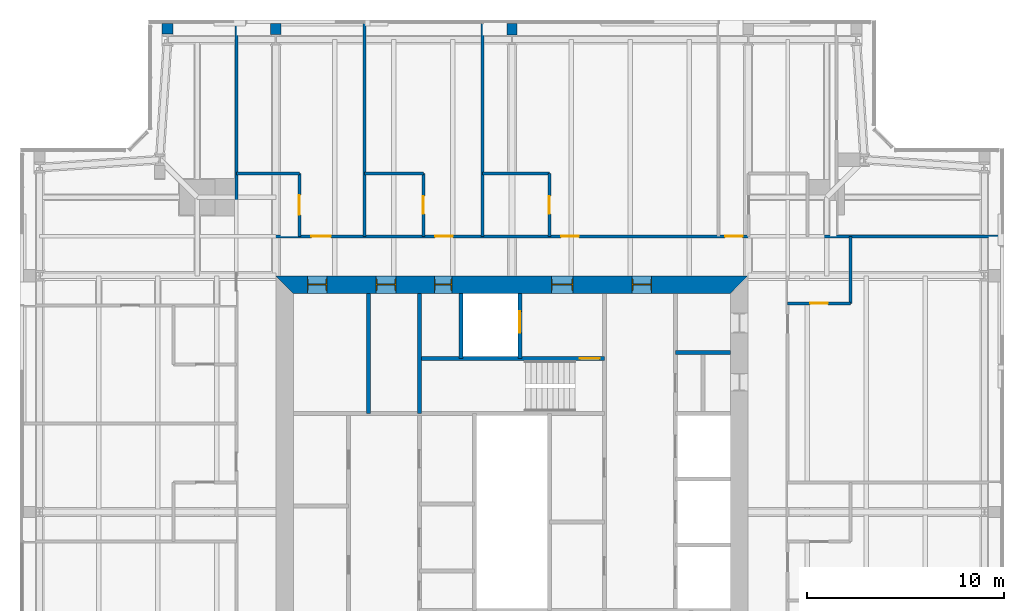
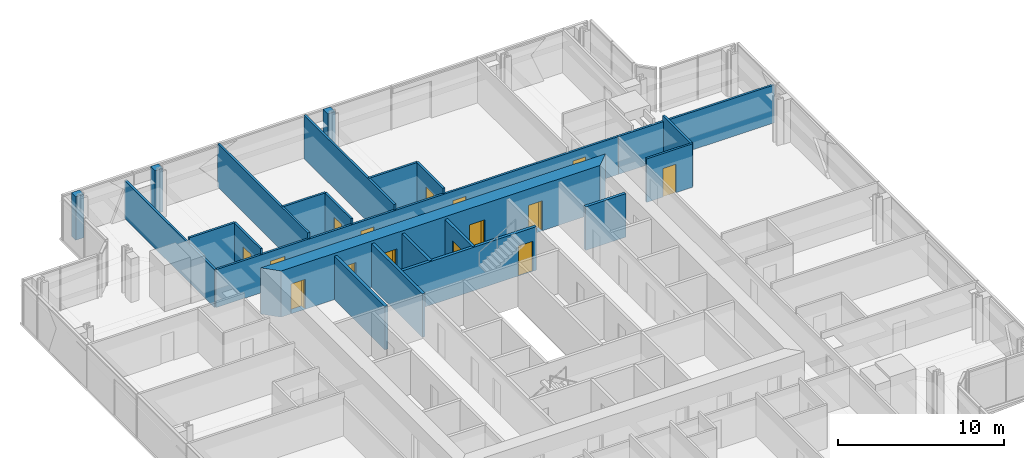
# One storey, part 14 of 18: 23 walls, 15 doors, 15 openings.
"""IFC4 building model written with IfcOpenShell, lengths in metres."""

from ifc_helpers import new_model, si_unit, direction, frame, frame_2d, origin, place, context, subcontext, project, spatial, polyline, rectangle, outline, extrude, material, layer, layer_set, type_object, element, fill, save


model = new_model("IFC4")

# Units and contexts
model_context = context("Model", 3, precision=1e-05, world=origin(), true_north=direction((0.0, 1.0)))
body_context = subcontext(model_context, "Body", "Model", "MODEL_VIEW")
ifc_project = project(units=[si_unit("LENGTHUNIT", "METRE"), si_unit("AREAUNIT", "SQUARE_METRE"), si_unit("VOLUMEUNIT", "CUBIC_METRE"), si_unit("PLANEANGLEUNIT", "RADIAN"), si_unit("MASSUNIT", "GRAM", prefix="KILO")], contexts=[model_context])

# Site, building, storey
site_placement = place(None, origin())
site = spatial("IfcSite", under=ifc_project, at=site_placement, CompositionType="ELEMENT")
building_placement = place(site_placement, origin())
building = spatial("IfcBuilding", under=site, at=building_placement, Name="Fenwick Lantern Interchange", CompositionType="ELEMENT")
storey_placement = place(building_placement, frame((0.0, 0.0, 293.39990234375)))
storey = spatial("IfcBuildingStorey", under=building, at=storey_placement, Name="L71", CompositionType="ELEMENT", Elevation=293.39990234375)

# Walls
ifc_material_1 = material(Name="Fire-rated gypsum board encasement on steel studs, 2 hour", Category="steel")
ifc_layer_1 = layer(ifc_material_1, 0.52392578125)
ifc_layer_set_1 = layer_set([ifc_layer_1], Name="COLUMN PIER 524")
wall_type_1 = type_object("IfcWallType", Name="COLUMN PIER 524", PredefinedType="PARTITIONING", material=ifc_layer_set_1)
wall_1_placement = place(storey_placement, frame((25.0, 49.81005859375, 0.0), z_axis=(0.0, 0.0, 1.0), x_axis=(0.0, -1.0, 0.0)))
element("IfcWall", 1, at=wall_1_placement, inside=storey, type_object=wall_type_1, Name="L71/W/PIER/CN3", PredefinedType="PARTITIONING", context=body_context, shape_type="SweptSolid", body=[
    extrude(rectangle(XDim=0.572509765625, YDim=0.52392578125, at=frame_2d((0.2861328125, 0.0))), origin(), (0.0, 0.0, 1.0), 3.2001953125),
])
ifc_layer_2 = layer(ifc_material_1, 0.5419921875)
ifc_layer_set_2 = layer_set([ifc_layer_2], Name="COLUMN PIER 542")
wall_type_2 = type_object("IfcWallType", Name="COLUMN PIER 542", PredefinedType="PARTITIONING", material=ifc_layer_set_2)
wall_2_placement = place(storey_placement, frame((13.0, 49.81005859375, 0.0), z_axis=(0.0, 0.0, 1.0), x_axis=(0.0, -1.0, 0.0)))
element("IfcWall", 2, at=wall_2_placement, inside=storey, type_object=wall_type_2, Name="L71/W/PIER/CN4", PredefinedType="PARTITIONING", context=body_context, shape_type="SweptSolid", body=[
    extrude(rectangle(XDim=0.544677734375, YDim=0.5419921875, at=frame_2d((0.2724609375, 0.0))), origin(), (0.0, 0.0, 1.0), 3.2001953125),
])
ifc_layer_3 = layer(ifc_material_1, 0.554931640625)
ifc_layer_set_3 = layer_set([ifc_layer_3], Name="COLUMN PIER 555")
wall_type_3 = type_object("IfcWallType", Name="COLUMN PIER 555", PredefinedType="PARTITIONING", material=ifc_layer_set_3)
wall_3_placement = place(storey_placement, frame((7.5, 49.81005859375, 0.0), z_axis=(0.0, 0.0, 1.0), x_axis=(0.0, -1.0, 0.0)))
element("IfcWall", 3, at=wall_3_placement, inside=storey, type_object=wall_type_3, Name="L71/W/PIER/CN5", PredefinedType="PARTITIONING", context=body_context, shape_type="SweptSolid", body=[
    extrude(rectangle(XDim=0.525634765625, YDim=0.554931640625, at=frame_2d((0.2626953125, 0.0))), origin(), (0.0, 0.0, 1.0), 3.2001953125),
])

# Wall, opening, door
ifc_material_2 = material(Name="Concrete masonry ASTM C90 Grade N", Category="masonry")
ifc_layer_4 = layer(ifc_material_2, 0.199951171875)
ifc_layer_set_4 = layer_set([ifc_layer_4], Name="Concrete masonry ASTM C90 Grade N")
wall_type_4 = type_object("IfcWallType", Name="CORE PARTITION 200", PredefinedType="PARTITIONING", material=ifc_layer_set_4)
wall_4_placement = place(storey_placement, frame((25.39990234375, 36.10009765625, 0.0), z_axis=(0.0, 0.0, 1.0), x_axis=(0.0, -1.0, 0.0)))
wall_4 = element("IfcWall", 4, at=wall_4_placement, inside=storey, type_object=wall_type_4, Name="L71/W/COREN/h1", PredefinedType="PARTITIONING", context=body_context, shape_type="SweptSolid", body=[
    extrude(rectangle(XDim=3.300048828125, YDim=0.199951171875, at=frame_2d((1.64990234375, 0.0))), origin(), (0.0, 0.0, 1.0), 3.2001953125),
])
opening_1_placement = place(wall_4_placement, frame((0.89990234375, 0.0, 0.0)))
opening_1 = element("IfcOpeningElement", 5, at=opening_1_placement, cuts=wall_4, Name="Opening LD-FL2", PredefinedType="OPENING", context=body_context, shape_type="SweptSolid", body=[
    extrude(rectangle(XDim=1.10009765625, YDim=2.199951171875, at=frame_2d((0.550048828125, 1.10009765625))), frame((0.0, 0.10986328125, 0.0), z_axis=(0.0, -1.0, 0.0), x_axis=(1.0, 0.0, 0.0)), (0.0, 0.0, 1.0), 0.219970703125),
])
ifc_material_3 = material(Name="Steel door and frame", Category="steel")
door_type_1 = type_object("IfcDoorType", Name="LIFT LANDING DOOR 1100 X 2200", OperationType="DOUBLE_DOOR_SLIDING", PredefinedType="DOOR", material=ifc_material_3)
door_1_placement = place(opening_1_placement, origin())
door_1 = element("IfcDoor", 6, at=door_1_placement, inside=storey, type_object=door_type_1, Name="Lift landing door FL2", OperationType="DOUBLE_DOOR_SLIDING", OverallHeight=2.199951171875, OverallWidth=1.10009765625, PredefinedType="DOOR", context=body_context, shape_type="SweptSolid", body=[
    extrude(rectangle(XDim=1.10009765625, YDim=2.199951171875, at=frame_2d((0.550048828125, 1.10009765625))), frame((0.0, 0.02490234375, 0.0), z_axis=(0.0, -1.0, 0.0), x_axis=(1.0, 0.0, 0.0)), (0.0, 0.0, 1.0), 0.050048828125),
])
fill(opening_1, door_1)

# Walls
wall_5_placement = place(storey_placement, frame((22.39990234375, 36.10009765625, 0.0), z_axis=(0.0, 0.0, 1.0), x_axis=(0.0, -1.0, 0.0)))
element("IfcWall", 7, at=wall_5_placement, inside=storey, type_object=wall_type_4, Name="L71/W/COREN/h2", PredefinedType="PARTITIONING", context=body_context, shape_type="SweptSolid", body=[
    extrude(rectangle(XDim=3.300048828125, YDim=0.199951171875, at=frame_2d((1.64990234375, 0.0))), origin(), (0.0, 0.0, 1.0), 3.2001953125),
])
wall_6_placement = place(storey_placement, frame((17.699951171875, 36.10009765625, 0.0), z_axis=(0.0, 0.0, 1.0), x_axis=(0.0, -1.0, 0.0)))
element("IfcWall", 8, at=wall_6_placement, inside=storey, type_object=wall_type_4, Name="L71/W/COREN/i2", PredefinedType="PARTITIONING", context=body_context, shape_type="SweptSolid", body=[
    extrude(rectangle(XDim=6.10009765625, YDim=0.199951171875, at=frame_2d((3.050048828125, 0.0))), origin(), (0.0, 0.0, 1.0), 3.2001953125),
])
wall_7_placement = place(storey_placement, frame((36.10009765625, 33.10009765625, 0.0), z_axis=(0.0, 0.0, 1.0), x_axis=(-1.0, 0.0, 0.0)))
element("IfcWall", 9, at=wall_7_placement, inside=storey, type_object=wall_type_4, Name="L71/W/COREN/p1", PredefinedType="PARTITIONING", context=body_context, shape_type="SweptSolid", body=[
    extrude(rectangle(XDim=2.800048828125, YDim=0.199951171875, at=frame_2d((1.39990234375, 0.0))), origin(), (0.0, 0.0, 1.0), 3.2001953125),
])

# Wall, openings, doors
ifc_material_4 = material(Name="Concrete f'c 70 MPa", Category="concrete")
ifc_layer_5 = layer(ifc_material_4, 0.89990234375)
ifc_layer_set_5 = layer_set([ifc_layer_5], Name="CORE WALL 900")
wall_type_5 = type_object("IfcWallType", Name="CORE WALL 900", PredefinedType="SHEAR", material=ifc_layer_set_5)
wall_8_placement = place(storey_placement, frame((37.0, 36.550048828125, 0.0), z_axis=(0.0, 0.0, 1.0), x_axis=(-1.0, 0.0, 0.0)))
wall_8 = element("IfcWall", 10, at=wall_8_placement, inside=storey, type_object=wall_type_5, Name="L71/CORE/N", PredefinedType="SHEAR", context=body_context, shape_type="SweptSolid", body=[
    extrude(outline(polyline([(0.0, -0.449951171875), (24.0, -0.449951171875), (23.10009765625, 0.449951171875), (0.89990234375, 0.449951171875), (0.0, -0.449951171875)])), origin(), (0.0, 0.0, 1.0), 3.400146484375),
])
opening_2_placement = place(wall_8_placement, frame((4.89990234375, 0.0, 0.0)))
opening_2 = element("IfcOpeningElement", 11, at=opening_2_placement, cuts=wall_8, Name="Opening L71-D014", PredefinedType="OPENING", context=body_context, shape_type="SweptSolid", body=[
    extrude(rectangle(XDim=1.0, YDim=2.199951171875, at=frame_2d((0.5, 1.10009765625))), frame((0.0, 0.4599609375, 0.0), z_axis=(0.0, -1.0, 0.0), x_axis=(1.0, 0.0, 0.0)), (0.0, 0.0, 1.0), 0.919921875),
])
opening_3_placement = place(wall_8_placement, frame((8.89990234375, 0.0, 0.0)))
opening_3 = element("IfcOpeningElement", 12, at=opening_3_placement, cuts=wall_8, Name="Opening L71-D015", PredefinedType="OPENING", context=body_context, shape_type="SweptSolid", body=[
    extrude(rectangle(XDim=1.10009765625, YDim=2.199951171875, at=frame_2d((0.550048828125, 1.10009765625))), frame((0.0, 0.4599609375, 0.0), z_axis=(0.0, -1.0, 0.0), x_axis=(1.0, 0.0, 0.0)), (0.0, 0.0, 1.0), 0.919921875),
])
opening_4_placement = place(wall_8_placement, frame((15.050048828125, 0.0, 0.0)))
opening_4 = element("IfcOpeningElement", 13, at=opening_4_placement, cuts=wall_8, Name="Opening L71-D017", PredefinedType="OPENING", context=body_context, shape_type="SweptSolid", body=[
    extrude(rectangle(XDim=0.89990234375, YDim=2.199951171875, at=frame_2d((0.449951171875, 1.10009765625))), frame((0.0, 0.4599609375, 0.0), z_axis=(0.0, -1.0, 0.0), x_axis=(1.0, 0.0, 0.0)), (0.0, 0.0, 1.0), 0.919921875),
])
opening_5_placement = place(wall_8_placement, frame((17.89990234375, 0.0, 0.0)))
opening_5 = element("IfcOpeningElement", 14, at=opening_5_placement, cuts=wall_8, Name="Opening L71-D018", PredefinedType="OPENING", context=body_context, shape_type="SweptSolid", body=[
    extrude(rectangle(XDim=1.0, YDim=2.199951171875, at=frame_2d((0.5, 1.10009765625))), frame((0.0, 0.4599609375, 0.0), z_axis=(0.0, -1.0, 0.0), x_axis=(1.0, 0.0, 0.0)), (0.0, 0.0, 1.0), 0.919921875),
])
opening_6_placement = place(wall_8_placement, frame((21.39990234375, 0.0, 0.0)))
opening_6 = element("IfcOpeningElement", 15, at=opening_6_placement, cuts=wall_8, Name="Opening L71-D019", PredefinedType="OPENING", context=body_context, shape_type="SweptSolid", body=[
    extrude(rectangle(XDim=1.0, YDim=2.199951171875, at=frame_2d((0.5, 1.10009765625))), frame((0.0, 0.4599609375, 0.0), z_axis=(0.0, -1.0, 0.0), x_axis=(1.0, 0.0, 0.0)), (0.0, 0.0, 1.0), 0.919921875),
])
door_type_2 = type_object("IfcDoorType", Name="CORE LOBBY DOOR 1000 X 2200", OperationType="SINGLE_SWING_LEFT", PredefinedType="DOOR", material=ifc_material_3)
door_2_placement = place(opening_2_placement, origin())
door_2 = element("IfcDoor", 16, at=door_2_placement, inside=storey, type_object=door_type_2, Name="Core lobby door", OperationType="SINGLE_SWING_LEFT", OverallHeight=2.199951171875, OverallWidth=1.0, PredefinedType="DOOR", context=body_context, shape_type="SweptSolid", body=[
    extrude(rectangle(XDim=1.0, YDim=2.199951171875, at=frame_2d((0.5, 1.10009765625))), frame((0.0, 0.02490234375, 0.0), z_axis=(0.0, -1.0, 0.0), x_axis=(1.0, 0.0, 0.0)), (0.0, 0.0, 1.0), 0.050048828125),
    extrude(outline(polyline([(0.0, 0.0), (0.0400390625, 0.0), (0.0400390625, 2.159912109375), (0.9599609375, 2.159912109375), (0.9599609375, 0.0), (1.0, 0.0), (1.0, 2.199951171875), (0.0, 2.199951171875), (0.0, 0.0)])), frame((0.0, 0.300048828125, 0.0), z_axis=(0.0, -1.0, 0.0), x_axis=(1.0, 0.0, 0.0)), (0.0, 0.0, 1.0), 0.60009765625),
])
fill(opening_2, door_2)
door_type_3 = type_object("IfcDoorType", Name="FIRE LOBBY DOOR 1100 X 2200", OperationType="SINGLE_SWING_LEFT", PredefinedType="DOOR", material=ifc_material_3)
door_3_placement = place(opening_3_placement, origin())
door_3 = element("IfcDoor", 17, at=door_3_placement, inside=storey, type_object=door_type_3, Name="Fire lobby door", OperationType="SINGLE_SWING_LEFT", OverallHeight=2.199951171875, OverallWidth=1.10009765625, PredefinedType="DOOR", context=body_context, shape_type="SweptSolid", body=[
    extrude(rectangle(XDim=1.10009765625, YDim=2.199951171875, at=frame_2d((0.550048828125, 1.10009765625))), frame((0.0, 0.02490234375, 0.0), z_axis=(0.0, -1.0, 0.0), x_axis=(1.0, 0.0, 0.0)), (0.0, 0.0, 1.0), 0.050048828125),
    extrude(outline(polyline([(0.0, 0.0), (0.0400390625, 0.0), (0.0400390625, 2.159912109375), (1.06005859375, 2.159912109375), (1.06005859375, 0.0), (1.10009765625, 0.0), (1.10009765625, 2.199951171875), (0.0, 2.199951171875), (0.0, 0.0)])), frame((0.0, 0.300048828125, 0.0), z_axis=(0.0, -1.0, 0.0), x_axis=(1.0, 0.0, 0.0)), (0.0, 0.0, 1.0), 0.60009765625),
])
fill(opening_3, door_3)
door_type_4 = type_object("IfcDoorType", Name="SERVICE DOOR 900 X 2200", OperationType="SINGLE_SWING_LEFT", PredefinedType="DOOR", material=ifc_material_3)
door_4_placement = place(opening_4_placement, origin())
door_4 = element("IfcDoor", 18, at=door_4_placement, inside=storey, type_object=door_type_4, Name="Service door", OperationType="SINGLE_SWING_LEFT", OverallHeight=2.199951171875, OverallWidth=0.89990234375, PredefinedType="DOOR", context=body_context, shape_type="SweptSolid", body=[
    extrude(rectangle(XDim=0.89990234375, YDim=2.199951171875, at=frame_2d((0.449951171875, 1.10009765625))), frame((0.0, 0.02490234375, 0.0), z_axis=(0.0, -1.0, 0.0), x_axis=(1.0, 0.0, 0.0)), (0.0, 0.0, 1.0), 0.050048828125),
    extrude(outline(polyline([(0.0, 0.0), (0.0400390625, 0.0), (0.0400390625, 2.159912109375), (0.85986328125, 2.159912109375), (0.85986328125, 0.0), (0.89990234375, 0.0), (0.89990234375, 2.199951171875), (0.0, 2.199951171875), (0.0, 0.0)])), frame((0.0, 0.300048828125, 0.0), z_axis=(0.0, -1.0, 0.0), x_axis=(1.0, 0.0, 0.0)), (0.0, 0.0, 1.0), 0.60009765625),
])
fill(opening_4, door_4)
ifc_material_5 = material(Name="Hardwood door and steel frame", Category="steel")
door_type_5 = type_object("IfcDoorType", Name="WC DOOR 1000 X 2200", OperationType="SINGLE_SWING_LEFT", PredefinedType="DOOR", material=ifc_material_5)
door_5_placement = place(opening_5_placement, origin())
door_5 = element("IfcDoor", 19, at=door_5_placement, inside=storey, type_object=door_type_5, Name="Wc door", OperationType="SINGLE_SWING_RIGHT", OverallHeight=2.199951171875, OverallWidth=1.0, PredefinedType="DOOR", context=body_context, shape_type="SweptSolid", body=[
    extrude(rectangle(XDim=1.0, YDim=2.199951171875, at=frame_2d((0.5, 1.10009765625))), frame((0.0, 0.02490234375, 0.0), z_axis=(0.0, -1.0, 0.0), x_axis=(1.0, 0.0, 0.0)), (0.0, 0.0, 1.0), 0.050048828125),
    extrude(outline(polyline([(0.0, 0.0), (0.0400390625, 0.0), (0.0400390625, 2.159912109375), (0.9599609375, 2.159912109375), (0.9599609375, 0.0), (1.0, 0.0), (1.0, 2.199951171875), (0.0, 2.199951171875), (0.0, 0.0)])), frame((0.0, 0.300048828125, 0.0), z_axis=(0.0, -1.0, 0.0), x_axis=(1.0, 0.0, 0.0)), (0.0, 0.0, 1.0), 0.60009765625),
])
fill(opening_5, door_5)
door_6_placement = place(opening_6_placement, origin())
door_6 = element("IfcDoor", 20, at=door_6_placement, inside=storey, type_object=door_type_5, Name="Wc door", OperationType="SINGLE_SWING_RIGHT", OverallHeight=2.199951171875, OverallWidth=1.0, PredefinedType="DOOR", context=body_context, shape_type="SweptSolid", body=[
    extrude(rectangle(XDim=1.0, YDim=2.199951171875, at=frame_2d((0.5, 1.10009765625))), frame((0.0, 0.02490234375, 0.0), z_axis=(0.0, -1.0, 0.0), x_axis=(1.0, 0.0, 0.0)), (0.0, 0.0, 1.0), 0.050048828125),
    extrude(outline(polyline([(0.0, 0.0), (0.0400390625, 0.0), (0.0400390625, 2.159912109375), (0.9599609375, 2.159912109375), (0.9599609375, 0.0), (1.0, 0.0), (1.0, 2.199951171875), (0.0, 2.199951171875), (0.0, 0.0)])), frame((0.0, 0.300048828125, 0.0), z_axis=(0.0, -1.0, 0.0), x_axis=(1.0, 0.0, 0.0)), (0.0, 0.0, 1.0), 0.60009765625),
])
fill(opening_6, door_6)

ifc_material_6 = material(Name="Gypsum board on steel studs, 1 hour", Category="steel")
ifc_layer_6 = layer(ifc_material_6, 0.14990234375)
ifc_layer_set_6 = layer_set([ifc_layer_6], Name="CORRIDOR WALL 150")
wall_type_6 = type_object("IfcWallType", Name="CORRIDOR WALL 150", PredefinedType="PARTITIONING", material=ifc_layer_set_6)
wall_9_placement = place(storey_placement, frame((39.0, 39.0, 0.0), z_axis=(0.0, 0.0, 1.0), x_axis=(-1.0, 0.0, 0.0)))
wall_9 = element("IfcWall", 21, at=wall_9_placement, inside=storey, type_object=wall_type_6, Name="L71/W/HOTEL/N/CW", PredefinedType="PARTITIONING", context=body_context, shape_type="SweptSolid", body=[
    extrude(rectangle(XDim=28.0, YDim=0.14990234375, at=frame_2d((14.0, 0.0))), origin(), (0.0, 0.0, 1.0), 2.793701171875),
])
opening_7_placement = place(wall_9_placement, frame((2.27490234375, 0.0, 0.0)))
opening_7 = element("IfcOpeningElement", 22, at=opening_7_placement, cuts=wall_9, Name="Opening L71-D043", PredefinedType="OPENING", context=body_context, shape_type="SweptSolid", body=[
    extrude(rectangle(XDim=0.89990234375, YDim=2.10009765625, at=frame_2d((0.449951171875, 1.050048828125))), frame((0.0, 0.0849609375, 0.0), z_axis=(0.0, -1.0, 0.0), x_axis=(1.0, 0.0, 0.0)), (0.0, 0.0, 1.0), 0.169921875),
])
opening_8_placement = place(wall_9_placement, frame((10.60009765625, 0.0, 0.0)))
opening_8 = element("IfcOpeningElement", 23, at=opening_8_placement, cuts=wall_9, Name="Opening L71-D045", PredefinedType="OPENING", context=body_context, shape_type="SweptSolid", body=[
    extrude(rectangle(XDim=0.89990234375, YDim=2.10009765625, at=frame_2d((0.449951171875, 1.050048828125))), frame((0.0, 0.0849609375, 0.0), z_axis=(0.0, -1.0, 0.0), x_axis=(1.0, 0.0, 0.0)), (0.0, 0.0, 1.0), 0.169921875),
])
opening_9_placement = place(wall_9_placement, frame((17.0, 0.0, 0.0)))
opening_9 = element("IfcOpeningElement", 24, at=opening_9_placement, cuts=wall_9, Name="Opening L71-D047", PredefinedType="OPENING", context=body_context, shape_type="SweptSolid", body=[
    extrude(rectangle(XDim=0.89990234375, YDim=2.10009765625, at=frame_2d((0.449951171875, 1.050048828125))), frame((0.0, 0.0849609375, 0.0), z_axis=(0.0, -1.0, 0.0), x_axis=(1.0, 0.0, 0.0)), (0.0, 0.0, 1.0), 0.169921875),
])
opening_10_placement = place(wall_9_placement, frame((23.199951171875, 0.0, 0.0)))
opening_10 = element("IfcOpeningElement", 25, at=opening_10_placement, cuts=wall_9, Name="Opening L71-D049", PredefinedType="OPENING", context=body_context, shape_type="SweptSolid", body=[
    extrude(rectangle(XDim=1.0, YDim=2.10009765625, at=frame_2d((0.5, 1.050048828125))), frame((0.0, 0.0849609375, 0.0), z_axis=(0.0, -1.0, 0.0), x_axis=(1.0, 0.0, 0.0)), (0.0, 0.0, 1.0), 0.169921875),
])
door_type_6 = type_object("IfcDoorType", Name="GUEST ROOM DOOR 1000 X 2100", OperationType="SINGLE_SWING_LEFT", PredefinedType="DOOR", material=ifc_material_3)
door_7_placement = place(opening_10_placement, frame((1.0, 0.0, 0.0), z_axis=(0.0, 0.0, 1.0), x_axis=(-1.0, 0.0, 0.0)))
door_7 = element("IfcDoor", 26, at=door_7_placement, inside=storey, type_object=door_type_6, Name="Guest room door", OperationType="SINGLE_SWING_LEFT", OverallHeight=2.10009765625, OverallWidth=1.0, PredefinedType="DOOR", context=body_context, shape_type="SweptSolid", body=[
    extrude(rectangle(XDim=1.0, YDim=2.10009765625, at=frame_2d((0.5, 1.050048828125))), frame((0.0, 0.02490234375, 0.0), z_axis=(0.0, -1.0, 0.0), x_axis=(1.0, 0.0, 0.0)), (0.0, 0.0, 1.0), 0.050048828125),
])
fill(opening_10, door_7)
door_type_7 = type_object("IfcDoorType", Name="GUEST ROOM DOOR 900 X 2100", OperationType="SINGLE_SWING_LEFT", PredefinedType="DOOR", material=ifc_material_3)
door_8_placement = place(opening_7_placement, frame((0.89990234375, 0.0, 0.0), z_axis=(0.0, 0.0, 1.0), x_axis=(-1.0, 0.0, 0.0)))
door_8 = element("IfcDoor", 27, at=door_8_placement, inside=storey, type_object=door_type_7, Name="Guest room door", OperationType="SINGLE_SWING_RIGHT", OverallHeight=2.10009765625, OverallWidth=0.89990234375, PredefinedType="DOOR", context=body_context, shape_type="SweptSolid", body=[
    extrude(rectangle(XDim=0.89990234375, YDim=2.10009765625, at=frame_2d((0.449951171875, 1.050048828125))), frame((0.0, 0.02490234375, 0.0), z_axis=(0.0, -1.0, 0.0), x_axis=(1.0, 0.0, 0.0)), (0.0, 0.0, 1.0), 0.050048828125),
])
fill(opening_7, door_8)
door_9_placement = place(opening_8_placement, frame((0.89990234375, 0.0, 0.0), z_axis=(0.0, 0.0, 1.0), x_axis=(-1.0, 0.0, 0.0)))
door_9 = element("IfcDoor", 28, at=door_9_placement, inside=storey, type_object=door_type_7, Name="Guest room door", OperationType="SINGLE_SWING_LEFT", OverallHeight=2.10009765625, OverallWidth=0.89990234375, PredefinedType="DOOR", context=body_context, shape_type="SweptSolid", body=[
    extrude(rectangle(XDim=0.89990234375, YDim=2.10009765625, at=frame_2d((0.449951171875, 1.050048828125))), frame((0.0, 0.02490234375, 0.0), z_axis=(0.0, -1.0, 0.0), x_axis=(1.0, 0.0, 0.0)), (0.0, 0.0, 1.0), 0.050048828125),
])
fill(opening_8, door_9)
door_10_placement = place(opening_9_placement, frame((0.89990234375, 0.0, 0.0), z_axis=(0.0, 0.0, 1.0), x_axis=(-1.0, 0.0, 0.0)))
door_10 = element("IfcDoor", 29, at=door_10_placement, inside=storey, type_object=door_type_7, Name="Guest room door", OperationType="SINGLE_SWING_LEFT", OverallHeight=2.10009765625, OverallWidth=0.89990234375, PredefinedType="DOOR", context=body_context, shape_type="SweptSolid", body=[
    extrude(rectangle(XDim=0.89990234375, YDim=2.10009765625, at=frame_2d((0.449951171875, 1.050048828125))), frame((0.0, 0.02490234375, 0.0), z_axis=(0.0, -1.0, 0.0), x_axis=(1.0, 0.0, 0.0)), (0.0, 0.0, 1.0), 0.050048828125),
])
fill(opening_9, door_10)

# Wall
ifc_material_7 = material(Name="Gypsum board on steel studs, moisture resistant", Category="steel")
ifc_layer_7 = layer(ifc_material_7, 0.14990234375)
ifc_layer_set_7 = layer_set([ifc_layer_7], Name="EN-SUITE WALL 150")
wall_type_7 = type_object("IfcWallType", Name="EN-SUITE WALL 150", PredefinedType="PARTITIONING", material=ifc_layer_set_7)
wall_10_placement = place(storey_placement, frame((42.199951171875, 35.60009765625, 0.0), z_axis=(0.0, 0.0, 1.0), x_axis=(0.0, 1.0, 0.0)))
element("IfcWall", 30, at=wall_10_placement, inside=storey, type_object=wall_type_7, Name="L71/W/HOTEL/E/U3BW", PredefinedType="PARTITIONING", context=body_context, shape_type="SweptSolid", body=[
    extrude(rectangle(XDim=3.39990234375, YDim=0.14990234375, at=frame_2d((1.699951171875, 0.0))), origin(), (0.0, 0.0, 1.0), 3.2001953125),
])

# Wall, opening, door
wall_11_placement = place(storey_placement, frame((42.199951171875, 35.60009765625, 0.0), z_axis=(0.0, 0.0, 1.0), x_axis=(-1.0, 0.0, 0.0)))
wall_11 = element("IfcWall", 31, at=wall_11_placement, inside=storey, type_object=wall_type_7, Name="L71/W/HOTEL/E/U3BX", PredefinedType="PARTITIONING", context=body_context, shape_type="SweptSolid", body=[
    extrude(rectangle(XDim=3.199951171875, YDim=0.14990234375, at=frame_2d((1.60009765625, 0.0))), origin(), (0.0, 0.0, 1.0), 3.2001953125),
])
opening_11_placement = place(wall_11_placement, frame((1.14990234375, 0.0, 0.0)))
opening_11 = element("IfcOpeningElement", 32, at=opening_11_placement, cuts=wall_11, Name="Opening L71-D039", PredefinedType="OPENING", context=body_context, shape_type="SweptSolid", body=[
    extrude(rectangle(XDim=0.89990234375, YDim=2.10009765625, at=frame_2d((0.449951171875, 1.050048828125))), frame((0.0, 0.0849609375, 0.0), z_axis=(0.0, -1.0, 0.0), x_axis=(1.0, 0.0, 0.0)), (0.0, 0.0, 1.0), 0.169921875),
])
door_type_8 = type_object("IfcDoorType", Name="EN-SUITE DOOR 900 X 2100", OperationType="SINGLE_SWING_LEFT", PredefinedType="DOOR", material=ifc_material_5)
door_11_placement = place(opening_11_placement, frame((0.89990234375, 0.0, 0.0), z_axis=(0.0, 0.0, 1.0), x_axis=(-1.0, 0.0, 0.0)))
door_11 = element("IfcDoor", 33, at=door_11_placement, inside=storey, type_object=door_type_8, Name="En-suite door", OperationType="SINGLE_SWING_RIGHT", OverallHeight=2.10009765625, OverallWidth=0.89990234375, PredefinedType="DOOR", context=body_context, shape_type="SweptSolid", body=[
    extrude(rectangle(XDim=0.89990234375, YDim=2.10009765625, at=frame_2d((0.449951171875, 1.050048828125))), frame((0.0, 0.02490234375, 0.0), z_axis=(0.0, -1.0, 0.0), x_axis=(1.0, 0.0, 0.0)), (0.0, 0.0, 1.0), 0.050048828125),
])
fill(opening_11, door_11)

# Wall
wall_12_placement = place(storey_placement, frame((26.89990234375, 42.199951171875, 0.0), z_axis=(0.0, 0.0, 1.0), x_axis=(-1.0, 0.0, 0.0)))
element("IfcWall", 34, at=wall_12_placement, inside=storey, type_object=wall_type_7, Name="L71/W/HOTEL/N/U2BW", PredefinedType="PARTITIONING", context=body_context, shape_type="SweptSolid", body=[
    extrude(rectangle(XDim=3.39990234375, YDim=0.14990234375, at=frame_2d((1.699951171875, 0.0))), origin(), (0.0, 0.0, 1.0), 3.2001953125),
])

# Wall, opening, door
wall_13_placement = place(storey_placement, frame((26.89990234375, 42.199951171875, 0.0), z_axis=(0.0, 0.0, 1.0), x_axis=(0.0, -1.0, 0.0)))
wall_13 = element("IfcWall", 35, at=wall_13_placement, inside=storey, type_object=wall_type_7, Name="L71/W/HOTEL/N/U2BX", PredefinedType="PARTITIONING", context=body_context, shape_type="SweptSolid", body=[
    extrude(rectangle(XDim=3.199951171875, YDim=0.14990234375, at=frame_2d((1.60009765625, 0.0))), origin(), (0.0, 0.0, 1.0), 3.2001953125),
])
opening_12_placement = place(wall_13_placement, frame((1.14990234375, 0.0, 0.0)))
opening_12 = element("IfcOpeningElement", 36, at=opening_12_placement, cuts=wall_13, Name="Opening L71-D044", PredefinedType="OPENING", context=body_context, shape_type="SweptSolid", body=[
    extrude(rectangle(XDim=0.89990234375, YDim=2.10009765625, at=frame_2d((0.449951171875, 1.050048828125))), frame((0.0, 0.0849609375, 0.0), z_axis=(0.0, -1.0, 0.0), x_axis=(1.0, 0.0, 0.0)), (0.0, 0.0, 1.0), 0.169921875),
])
door_12_placement = place(opening_12_placement, frame((0.89990234375, 0.0, 0.0), z_axis=(0.0, 0.0, 1.0), x_axis=(-1.0, 0.0, 0.0)))
door_12 = element("IfcDoor", 37, at=door_12_placement, inside=storey, type_object=door_type_8, Name="En-suite door", OperationType="SINGLE_SWING_RIGHT", OverallHeight=2.10009765625, OverallWidth=0.89990234375, PredefinedType="DOOR", context=body_context, shape_type="SweptSolid", body=[
    extrude(rectangle(XDim=0.89990234375, YDim=2.10009765625, at=frame_2d((0.449951171875, 1.050048828125))), frame((0.0, 0.02490234375, 0.0), z_axis=(0.0, -1.0, 0.0), x_axis=(1.0, 0.0, 0.0)), (0.0, 0.0, 1.0), 0.050048828125),
])
fill(opening_12, door_12)

# Wall
wall_14_placement = place(storey_placement, frame((20.5, 42.199951171875, 0.0), z_axis=(0.0, 0.0, 1.0), x_axis=(-1.0, 0.0, 0.0)))
element("IfcWall", 38, at=wall_14_placement, inside=storey, type_object=wall_type_7, Name="L71/W/HOTEL/N/U3BW", PredefinedType="PARTITIONING", context=body_context, shape_type="SweptSolid", body=[
    extrude(rectangle(XDim=3.0, YDim=0.14990234375, at=frame_2d((1.5, 0.0))), origin(), (0.0, 0.0, 1.0), 3.2001953125),
])

# Wall, opening, door
wall_15_placement = place(storey_placement, frame((20.5, 42.199951171875, 0.0), z_axis=(0.0, 0.0, 1.0), x_axis=(0.0, -1.0, 0.0)))
wall_15 = element("IfcWall", 39, at=wall_15_placement, inside=storey, type_object=wall_type_7, Name="L71/W/HOTEL/N/U3BX", PredefinedType="PARTITIONING", context=body_context, shape_type="SweptSolid", body=[
    extrude(rectangle(XDim=3.199951171875, YDim=0.14990234375, at=frame_2d((1.60009765625, 0.0))), origin(), (0.0, 0.0, 1.0), 3.2001953125),
])
opening_13_placement = place(wall_15_placement, frame((1.14990234375, 0.0, 0.0)))
opening_13 = element("IfcOpeningElement", 40, at=opening_13_placement, cuts=wall_15, Name="Opening L71-D046", PredefinedType="OPENING", context=body_context, shape_type="SweptSolid", body=[
    extrude(rectangle(XDim=0.89990234375, YDim=2.10009765625, at=frame_2d((0.449951171875, 1.050048828125))), frame((0.0, 0.0849609375, 0.0), z_axis=(0.0, -1.0, 0.0), x_axis=(1.0, 0.0, 0.0)), (0.0, 0.0, 1.0), 0.169921875),
])
door_13_placement = place(opening_13_placement, frame((0.89990234375, 0.0, 0.0), z_axis=(0.0, 0.0, 1.0), x_axis=(-1.0, 0.0, 0.0)))
door_13 = element("IfcDoor", 41, at=door_13_placement, inside=storey, type_object=door_type_8, Name="En-suite door", OperationType="SINGLE_SWING_RIGHT", OverallHeight=2.10009765625, OverallWidth=0.89990234375, PredefinedType="DOOR", context=body_context, shape_type="SweptSolid", body=[
    extrude(rectangle(XDim=0.89990234375, YDim=2.10009765625, at=frame_2d((0.449951171875, 1.050048828125))), frame((0.0, 0.02490234375, 0.0), z_axis=(0.0, -1.0, 0.0), x_axis=(1.0, 0.0, 0.0)), (0.0, 0.0, 1.0), 0.050048828125),
])
fill(opening_13, door_13)

# Wall
wall_16_placement = place(storey_placement, frame((14.199951171875, 42.199951171875, 0.0), z_axis=(0.0, 0.0, 1.0), x_axis=(-1.0, 0.0, 0.0)))
element("IfcWall", 42, at=wall_16_placement, inside=storey, type_object=wall_type_7, Name="L71/W/HOTEL/N/U4BW", PredefinedType="PARTITIONING", context=body_context, shape_type="SweptSolid", body=[
    extrude(rectangle(XDim=3.199951171875, YDim=0.14990234375, at=frame_2d((1.60009765625, 0.0))), origin(), (0.0, 0.0, 1.0), 3.2001953125),
])

# Wall, opening, door
wall_17_placement = place(storey_placement, frame((14.199951171875, 42.199951171875, 0.0), z_axis=(0.0, 0.0, 1.0), x_axis=(0.0, -1.0, 0.0)))
wall_17 = element("IfcWall", 43, at=wall_17_placement, inside=storey, type_object=wall_type_7, Name="L71/W/HOTEL/N/U4BX", PredefinedType="PARTITIONING", context=body_context, shape_type="SweptSolid", body=[
    extrude(rectangle(XDim=3.199951171875, YDim=0.14990234375, at=frame_2d((1.60009765625, 0.0))), origin(), (0.0, 0.0, 1.0), 3.2001953125),
])
opening_14_placement = place(wall_17_placement, frame((1.10009765625, 0.0, 0.0)))
opening_14 = element("IfcOpeningElement", 44, at=opening_14_placement, cuts=wall_17, Name="Opening L71-D048", PredefinedType="OPENING", context=body_context, shape_type="SweptSolid", body=[
    extrude(rectangle(XDim=1.0, YDim=2.10009765625, at=frame_2d((0.5, 1.050048828125))), frame((0.0, 0.0849609375, 0.0), z_axis=(0.0, -1.0, 0.0), x_axis=(1.0, 0.0, 0.0)), (0.0, 0.0, 1.0), 0.169921875),
])
door_type_9 = type_object("IfcDoorType", Name="EN-SUITE DOOR 1000 X 2100", OperationType="SINGLE_SWING_LEFT", PredefinedType="DOOR", material=ifc_material_5)
door_14_placement = place(opening_14_placement, frame((1.0, 0.0, 0.0), z_axis=(0.0, 0.0, 1.0), x_axis=(-1.0, 0.0, 0.0)))
door_14 = element("IfcDoor", 45, at=door_14_placement, inside=storey, type_object=door_type_9, Name="En-suite door", OperationType="SINGLE_SWING_RIGHT", OverallHeight=2.10009765625, OverallWidth=1.0, PredefinedType="DOOR", context=body_context, shape_type="SweptSolid", body=[
    extrude(rectangle(XDim=1.0, YDim=2.10009765625, at=frame_2d((0.5, 1.050048828125))), frame((0.0, 0.02490234375, 0.0), z_axis=(0.0, -1.0, 0.0), x_axis=(1.0, 0.0, 0.0)), (0.0, 0.0, 1.0), 0.050048828125),
])
fill(opening_14, door_14)

# Walls
ifc_material_8 = material(Name="Gypsum board on steel studs, 1 hour acoustic", Category="steel")
ifc_layer_8 = layer(ifc_material_8, 0.14990234375)
ifc_layer_set_8 = layer_set([ifc_layer_8], Name="PARTY WALL 150")
wall_type_8 = type_object("IfcWallType", Name="PARTY WALL 150", PredefinedType="PARTITIONING", material=ifc_layer_set_8)
wall_18_placement = place(storey_placement, frame((49.85009765625, 39.0, 0.0), z_axis=(0.0, 0.0, 1.0), x_axis=(-1.0, 0.0, 0.0)))
element("IfcWall", 46, at=wall_18_placement, inside=storey, type_object=wall_type_8, Name="L71/W/HOTEL/N/SW3", PredefinedType="PARTITIONING", context=body_context, shape_type="SweptSolid", body=[
    extrude(rectangle(XDim=10.85009765625, YDim=0.14990234375, at=frame_2d((5.425048828125, 0.0))), origin(), (0.0, 0.0, 1.0), 2.793701171875),
])
for number, where, z_axis, x_axis, name in (
    (47, (23.5, 49.85009765625, 0.0), (0.0, 0.0, 1.0), (0.0, -1.0, 0.0), "L71/W/HOTEL/N/U3PW"),
    (48, (17.5, 49.85009765625, 0.0), (0.0, 0.0, 1.0), (0.0, -1.0, 0.0), "L71/W/HOTEL/N/U4PW"),
):
    element("IfcWall", number, at=place(storey_placement, frame(where, z_axis=z_axis, x_axis=x_axis)), inside=storey, type_object=wall_type_8, Name=name, PredefinedType="PARTITIONING", context=body_context, shape_type="SweptSolid", body=[
        extrude(rectangle(XDim=10.85009765625, YDim=0.14990234375, at=frame_2d((5.425048828125, 0.0))), origin(), (0.0, 0.0, 1.0), 3.2001953125),
    ])
wall_19_placement = place(storey_placement, frame((11.0, 49.85009765625, 0.0), z_axis=(0.0, 0.0, 1.0), x_axis=(0.0, -1.0, 0.0)))
element("IfcWall", 49, at=wall_19_placement, inside=storey, type_object=wall_type_8, Name="L71/W/HOTEL/W/SW3", PredefinedType="PARTITIONING", context=body_context, shape_type="SweptSolid", body=[
    extrude(rectangle(XDim=10.85009765625, YDim=0.14990234375, at=frame_2d((5.425048828125, 0.0))), origin(), (0.0, 0.0, 1.0), 2.793701171875),
])

# Wall, opening, door
ifc_material_9 = material(Name="Concrete f'c 45 MPa", Category="concrete")
ifc_layer_9 = layer(ifc_material_9, 0.199951171875)
ifc_layer_set_9 = layer_set([ifc_layer_9], Name="STAIR CORE WALL 200")
wall_type_9 = type_object("IfcWallType", Name="STAIR CORE WALL 200", PredefinedType="SOLIDWALL", material=ifc_layer_set_9)
wall_20_placement = place(storey_placement, frame((29.699951171875, 32.800048828125, 0.0), z_axis=(0.0, 0.0, 1.0), x_axis=(-1.0, 0.0, 0.0)))
wall_20 = element("IfcWall", 50, at=wall_20_placement, inside=storey, type_object=wall_type_9, Name="L71/W/COREN/g1", PredefinedType="SOLIDWALL", context=body_context, shape_type="SweptSolid", body=[
    extrude(rectangle(XDim=9.39990234375, YDim=0.199951171875, at=frame_2d((4.699951171875, 0.0))), origin(), (0.0, 0.0, 1.0), 3.2001953125),
])
opening_15_placement = place(wall_20_placement, frame((0.25, 0.0, 0.0)))
opening_15 = element("IfcOpeningElement", 51, at=opening_15_placement, cuts=wall_20, Name="Opening L71-D016", PredefinedType="OPENING", context=body_context, shape_type="SweptSolid", body=[
    extrude(rectangle(XDim=1.0, YDim=2.199951171875, at=frame_2d((0.5, 1.10009765625))), frame((0.0, 0.10986328125, 0.0), z_axis=(0.0, -1.0, 0.0), x_axis=(1.0, 0.0, 0.0)), (0.0, 0.0, 1.0), 0.219970703125),
])
door_type_10 = type_object("IfcDoorType", Name="STAIR DOOR 1000 X 2200", OperationType="SINGLE_SWING_LEFT", PredefinedType="DOOR", material=ifc_material_3)
door_15_placement = place(opening_15_placement, origin())
door_15 = element("IfcDoor", 52, at=door_15_placement, inside=storey, type_object=door_type_10, Name="Stair door", OperationType="SINGLE_SWING_LEFT", OverallHeight=2.199951171875, OverallWidth=1.0, PredefinedType="DOOR", context=body_context, shape_type="SweptSolid", body=[
    extrude(rectangle(XDim=1.0, YDim=2.199951171875, at=frame_2d((0.5, 1.10009765625))), frame((0.0, 0.02490234375, 0.0), z_axis=(0.0, -1.0, 0.0), x_axis=(1.0, 0.0, 0.0)), (0.0, 0.0, 1.0), 0.050048828125),
])
fill(opening_15, door_15)

# Wall
wall_21_placement = place(storey_placement, frame((20.300048828125, 36.10009765625, 0.0), z_axis=(0.0, 0.0, 1.0), x_axis=(0.0, -1.0, 0.0)))
element("IfcWall", 53, at=wall_21_placement, inside=storey, type_object=wall_type_9, Name="L71/W/COREN/i1", PredefinedType="SOLIDWALL", context=body_context, shape_type="SweptSolid", body=[
    extrude(rectangle(XDim=6.10009765625, YDim=0.199951171875, at=frame_2d((3.050048828125, 0.0))), origin(), (0.0, 0.0, 1.0), 3.2001953125),
])

save(model, "model.ifc")
